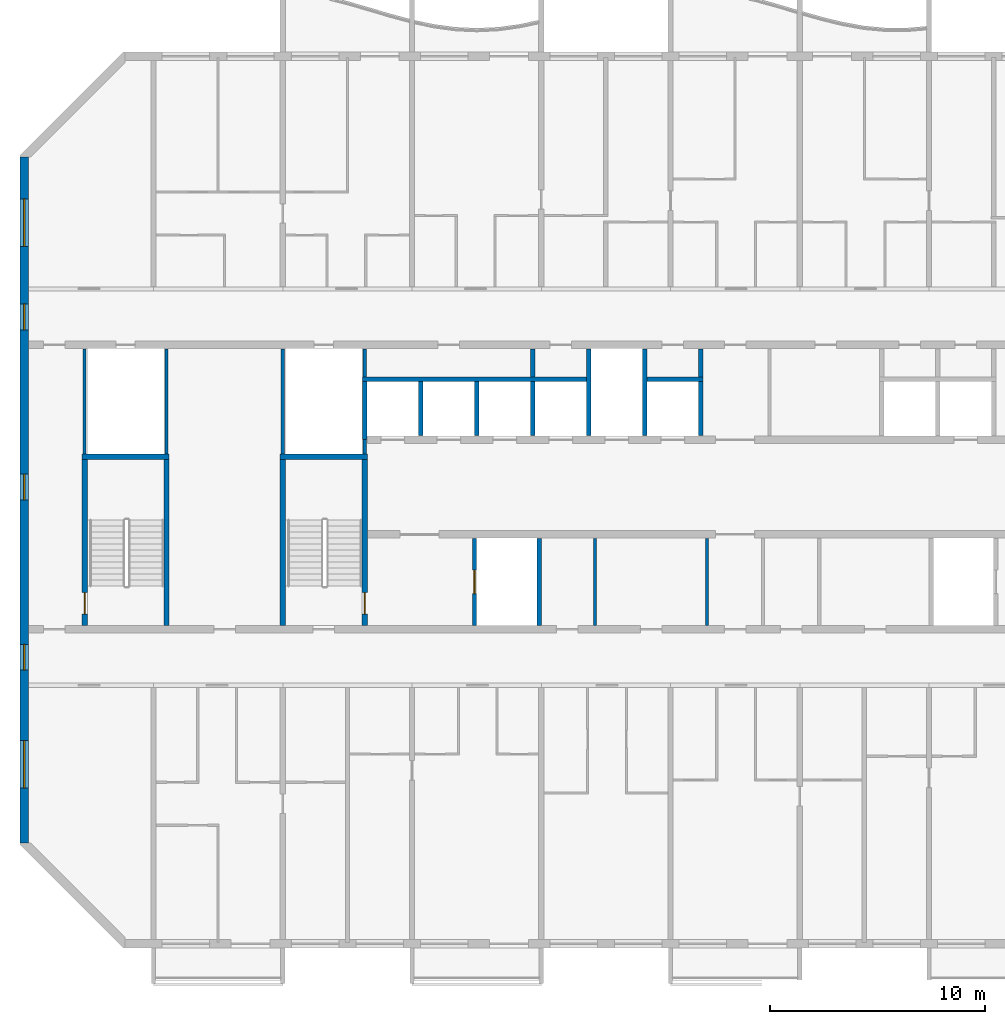
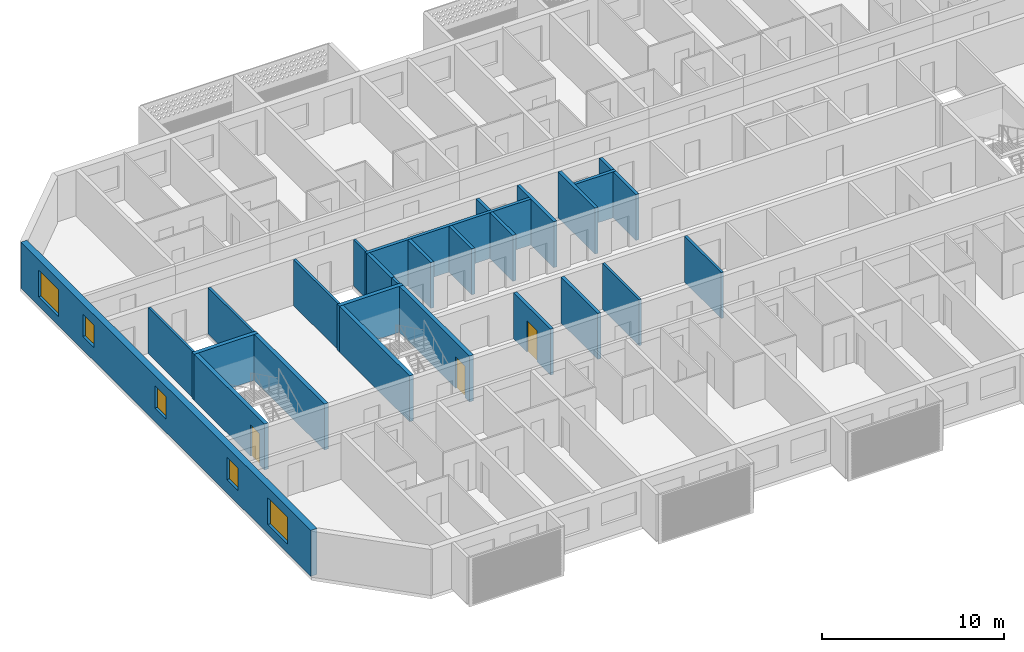
# One storey, part 3 of 27: 27 walls, 5 windows, 3 doors, 8 openings.
"""IFC4 building model written with IfcOpenShell, lengths in metres."""

from ifc_helpers import new_model, si_unit, direction, frame, frame_2d, origin, place, context, subcontext, project, spatial, rectangle, extrude, material, layer, layer_set, type_object, element, fill, save


model = new_model("IFC4")

# Units and contexts
model_context = context("Model", 3, precision=1e-05, world=origin(), true_north=direction((0.0, 1.0)))
body_context = subcontext(model_context, "Body", "Model", "MODEL_VIEW")
ifc_project = project(units=[si_unit("LENGTHUNIT", "METRE"), si_unit("AREAUNIT", "SQUARE_METRE"), si_unit("VOLUMEUNIT", "CUBIC_METRE"), si_unit("PLANEANGLEUNIT", "RADIAN"), si_unit("MASSUNIT", "GRAM", prefix="KILO")], contexts=[model_context])

# Site, building, storey
site_placement = place(None, origin())
site = spatial("IfcSite", under=ifc_project, at=site_placement, CompositionType="ELEMENT")
building_placement = place(site_placement, origin())
building = spatial("IfcBuilding", under=site, at=building_placement, Name="Poui Terraces", CompositionType="ELEMENT")
storey_placement = place(building_placement, frame((0.0, 0.0, 251.10009765625)))
storey = spatial("IfcBuildingStorey", under=building, at=storey_placement, Name="L70", CompositionType="ELEMENT", Elevation=251.10009765625)

# Wall
ifc_material_1 = material(Name="Fire-rated plasterboard wall")
ifc_layer_1 = layer(ifc_material_1, 0.14990234375)
ifc_layer_set_1 = layer_set([ifc_layer_1], Name="Fire-rated plasterboard wall")
wall_type_1 = type_object("IfcWallType", Name="CORRIDOR WALL 150", PredefinedType="PARTITIONING", material=ifc_layer_set_1)
wall_1_placement = place(storey_placement, frame((49.699951171875, 14.784912109375, 0.0), z_axis=(0.0, 0.0, 1.0), x_axis=(0.0, 1.0, 0.0)))
element("IfcWall", 1, at=wall_1_placement, inside=storey, type_object=wall_type_1, Name="CORRIDOR WALL 150", PredefinedType="PARTITIONING", context=body_context, shape_type="SweptSolid", body=[
    extrude(rectangle(XDim=4.030029296875, YDim=0.14990234375, at=frame_2d((2.01513671875, 0.0))), origin(), (0.0, 0.0, 1.0), 3.079833984375),
])

# Wall, openings, windows
ifc_material_2 = material(Name="Concrete 50 MPa", Category="concrete")
ifc_layer_2 = layer(ifc_material_2, 0.39990234375)
ifc_layer_set_2 = layer_set([ifc_layer_2], Name="Concrete 50 MPa")
wall_type_2 = type_object("IfcWallType", Name="END WALL 400 50MPa", PredefinedType="SHEAR", material=ifc_layer_set_2)
wall_2_placement = place(storey_placement, frame((18.0, 4.682861328125, 0.0), z_axis=(0.0, 0.0, 1.0), x_axis=(0.0, 1.0, 0.0)))
wall_2 = element("IfcWall", 2, at=wall_2_placement, inside=storey, type_object=wall_type_2, Name="END WALL WEST", PredefinedType="SHEAR", context=body_context, shape_type="SweptSolid", body=[
    extrude(rectangle(XDim=31.834228515625, YDim=0.39990234375, at=frame_2d((15.9169921875, 0.0))), origin(), (0.0, 0.0, 1.0), 3.079833984375),
])
opening_1_placement = place(wall_2_placement, frame((23.817138671875, 0.0, 0.89990234375)))
opening_1 = element("IfcOpeningElement", 3, at=opening_1_placement, cuts=wall_2, Name="Opening W2", PredefinedType="OPENING", context=body_context, shape_type="SweptSolid", body=[
    extrude(rectangle(XDim=1.199951171875, YDim=1.5, at=frame_2d((0.60009765625, 0.75))), frame((0.0, 0.2099609375, 0.0), z_axis=(0.0, -1.0, 0.0), x_axis=(1.0, 0.0, 0.0)), (0.0, 0.0, 1.0), 0.419921875),
])
opening_2_placement = place(wall_2_placement, frame((8.01708984375, 0.0, 0.89990234375)))
opening_2 = element("IfcOpeningElement", 4, at=opening_2_placement, cuts=wall_2, Name="Opening W2", PredefinedType="OPENING", context=body_context, shape_type="SweptSolid", body=[
    extrude(rectangle(XDim=1.199951171875, YDim=1.5, at=frame_2d((0.60009765625, 0.75))), frame((0.0, 0.2099609375, 0.0), z_axis=(0.0, -1.0, 0.0), x_axis=(1.0, 0.0, 0.0)), (0.0, 0.0, 1.0), 0.419921875),
])
opening_3_placement = place(wall_2_placement, frame((27.693603515625, 0.0, 0.60009765625)))
opening_3 = element("IfcOpeningElement", 5, at=opening_3_placement, cuts=wall_2, Name="Opening W3", PredefinedType="OPENING", context=body_context, shape_type="SweptSolid", body=[
    extrude(rectangle(XDim=2.199951171875, YDim=1.800048828125, at=frame_2d((1.10009765625, 0.89990234375))), frame((0.0, 0.2099609375, 0.0), z_axis=(0.0, -1.0, 0.0), x_axis=(1.0, 0.0, 0.0)), (0.0, 0.0, 1.0), 0.419921875),
])
opening_4_placement = place(wall_2_placement, frame((2.541015625, 0.0, 0.60009765625)))
opening_4 = element("IfcOpeningElement", 6, at=opening_4_placement, cuts=wall_2, Name="Opening W3", PredefinedType="OPENING", context=body_context, shape_type="SweptSolid", body=[
    extrude(rectangle(XDim=2.199951171875, YDim=1.800048828125, at=frame_2d((1.10009765625, 0.89990234375))), frame((0.0, 0.2099609375, 0.0), z_axis=(0.0, -1.0, 0.0), x_axis=(1.0, 0.0, 0.0)), (0.0, 0.0, 1.0), 0.419921875),
])
opening_5_placement = place(wall_2_placement, frame((15.917236328125, 0.0, 0.89990234375)))
opening_5 = element("IfcOpeningElement", 7, at=opening_5_placement, cuts=wall_2, Name="Opening W2", PredefinedType="OPENING", context=body_context, shape_type="SweptSolid", body=[
    extrude(rectangle(XDim=1.199951171875, YDim=1.5, at=frame_2d((0.60009765625, 0.75))), frame((0.0, 0.2099609375, 0.0), z_axis=(0.0, -1.0, 0.0), x_axis=(1.0, 0.0, 0.0)), (0.0, 0.0, 1.0), 0.419921875),
])
ifc_material_3 = material(Name="Clear glass in aluminium frame", Category="aluminium")
window_type_1 = type_object("IfcWindowType", Name="WINDOW 1200X1500", PartitioningType="SINGLE_PANEL", PredefinedType="WINDOW", material=ifc_material_3)
window_1_placement = place(opening_1_placement, origin())
window_1 = element("IfcWindow", 8, at=window_1_placement, inside=storey, type_object=window_type_1, Name="W2 WINDOW", OverallHeight=1.5, OverallWidth=1.199951171875, PartitioningType="SINGLE_PANEL", PredefinedType="WINDOW", context=body_context, shape_type="SweptSolid", body=[
    extrude(rectangle(XDim=1.199951171875, YDim=1.5, at=frame_2d((0.60009765625, 0.75))), frame((0.0, 0.030029296875, 0.0), z_axis=(0.0, -1.0, 0.0), x_axis=(1.0, 0.0, 0.0)), (0.0, 0.0, 1.0), 0.06005859375),
])
fill(opening_1, window_1)
window_2_placement = place(opening_2_placement, origin())
window_2 = element("IfcWindow", 9, at=window_2_placement, inside=storey, type_object=window_type_1, Name="W2 WINDOW", OverallHeight=1.5, OverallWidth=1.199951171875, PartitioningType="SINGLE_PANEL", PredefinedType="WINDOW", context=body_context, shape_type="SweptSolid", body=[
    extrude(rectangle(XDim=1.199951171875, YDim=1.5, at=frame_2d((0.60009765625, 0.75))), frame((0.0, 0.030029296875, 0.0), z_axis=(0.0, -1.0, 0.0), x_axis=(1.0, 0.0, 0.0)), (0.0, 0.0, 1.0), 0.06005859375),
])
fill(opening_2, window_2)
window_3_placement = place(opening_5_placement, origin())
window_3 = element("IfcWindow", 10, at=window_3_placement, inside=storey, type_object=window_type_1, Name="W2 WINDOW", OverallHeight=1.5, OverallWidth=1.199951171875, PartitioningType="SINGLE_PANEL", PredefinedType="WINDOW", context=body_context, shape_type="SweptSolid", body=[
    extrude(rectangle(XDim=1.199951171875, YDim=1.5, at=frame_2d((0.60009765625, 0.75))), frame((0.0, 0.030029296875, 0.0), z_axis=(0.0, -1.0, 0.0), x_axis=(1.0, 0.0, 0.0)), (0.0, 0.0, 1.0), 0.06005859375),
])
fill(opening_5, window_3)
window_type_2 = type_object("IfcWindowType", Name="WINDOW 2200X1800", PartitioningType="DOUBLE_PANEL_HORIZONTAL", PredefinedType="WINDOW", material=ifc_material_3)
window_4_placement = place(opening_3_placement, origin())
window_4 = element("IfcWindow", 11, at=window_4_placement, inside=storey, type_object=window_type_2, Name="W3 WINDOW", OverallHeight=1.800048828125, OverallWidth=2.199951171875, PartitioningType="DOUBLE_PANEL_HORIZONTAL", PredefinedType="WINDOW", context=body_context, shape_type="SweptSolid", body=[
    extrude(rectangle(XDim=2.199951171875, YDim=1.800048828125, at=frame_2d((1.10009765625, 0.89990234375))), frame((0.0, 0.030029296875, 0.0), z_axis=(0.0, -1.0, 0.0), x_axis=(1.0, 0.0, 0.0)), (0.0, 0.0, 1.0), 0.06005859375),
])
fill(opening_3, window_4)
window_5_placement = place(opening_4_placement, origin())
window_5 = element("IfcWindow", 12, at=window_5_placement, inside=storey, type_object=window_type_2, Name="W3 WINDOW", OverallHeight=1.800048828125, OverallWidth=2.199951171875, PartitioningType="DOUBLE_PANEL_HORIZONTAL", PredefinedType="WINDOW", context=body_context, shape_type="SweptSolid", body=[
    extrude(rectangle(XDim=2.199951171875, YDim=1.800048828125, at=frame_2d((1.10009765625, 0.89990234375))), frame((0.0, 0.030029296875, 0.0), z_axis=(0.0, -1.0, 0.0), x_axis=(1.0, 0.0, 0.0)), (0.0, 0.0, 1.0), 0.06005859375),
])
fill(opening_4, window_5)

# Walls
ifc_material_4 = material(Name="Plasterboard partition")
ifc_layer_3 = layer(ifc_material_4, 0.14990234375)
ifc_layer_set_3 = layer_set([ifc_layer_3], Name="Plasterboard partition")
wall_type_3 = type_object("IfcWallType", Name="PARTITION WALL 150", PredefinedType="PARTITIONING", material=ifc_layer_set_3)
wall_3_placement = place(storey_placement, frame((44.5, 14.784912109375, 0.0), z_axis=(0.0, 0.0, 1.0), x_axis=(0.0, 1.0, 0.0)))
element("IfcWall", 13, at=wall_3_placement, inside=storey, type_object=wall_type_3, Name="PARTITION WALL 150", PredefinedType="PARTITIONING", context=body_context, shape_type="SweptSolid", body=[
    extrude(rectangle(XDim=4.030029296875, YDim=0.14990234375, at=frame_2d((2.01513671875, 0.0))), origin(), (0.0, 0.0, 1.0), 3.079833984375),
])
ifc_material_5 = material(Name="Fire-rated masonry wall", Category="masonry")
ifc_layer_4 = layer(ifc_material_5, 0.199951171875)
ifc_layer_set_4 = layer_set([ifc_layer_4], Name="Fire-rated masonry wall")
wall_type_4 = type_object("IfcWallType", Name="PLANT ROOM WALL 200", PredefinedType="PARTITIONING", material=ifc_layer_set_4)
for number, where, z_axis, x_axis, name in (
    (14, (41.60009765625, 26.300048828125, 0.0), (0.0, 0.0, 1.0), (0.0, 1.0, 0.0), "PLANT ROOM WALL 200"),
    (15, (49.39990234375, 26.300048828125, 0.0), (0.0, 0.0, 1.0), (0.0, 1.0, 0.0), "PLANT ROOM WALL 200"),
):
    element("IfcWall", number, at=place(storey_placement, frame(where, z_axis=z_axis, x_axis=x_axis)), inside=storey, type_object=wall_type_4, Name=name, PredefinedType="PARTITIONING", context=body_context, shape_type="SweptSolid", body=[
        extrude(rectangle(XDim=1.31494140625, YDim=0.199951171875, at=frame_2d((0.657470703125, 0.0))), origin(), (0.0, 0.0, 1.0), 3.079833984375),
    ])
ifc_material_6 = material(Name="Fire-rated plasterboard riser wall")
ifc_layer_5 = layer(ifc_material_6, 0.14990234375)
ifc_layer_set_5 = layer_set([ifc_layer_5], Name="Fire-rated plasterboard riser wall")
wall_type_5 = type_object("IfcWallType", Name="RISER WALL 150", PredefinedType="PARTITIONING", material=ifc_layer_set_5)
for number, where, z_axis, x_axis, name in (
    (16, (20.800048828125, 22.735107421875, 0.0), (0.0, 0.0, 1.0), (0.0, 1.0, 0.0), "RISER WALL 150"),
    (17, (24.60009765625, 22.735107421875, 0.0), (0.0, 0.0, 1.0), (0.0, 1.0, 0.0), "RISER WALL 150"),
    (18, (30.0, 22.735107421875, 0.0), (0.0, 0.0, 1.0), (0.0, 1.0, 0.0), "RISER WALL 150"),
):
    element("IfcWall", number, at=place(storey_placement, frame(where, z_axis=z_axis, x_axis=x_axis)), inside=storey, type_object=wall_type_5, Name=name, PredefinedType="PARTITIONING", context=body_context, shape_type="SweptSolid", body=[
        extrude(rectangle(XDim=4.8798828125, YDim=0.14990234375, at=frame_2d((2.43994140625, 0.0))), origin(), (0.0, 0.0, 1.0), 3.079833984375),
    ])
wall_4_placement = place(storey_placement, frame((33.800048828125, 22.735107421875, 0.0), z_axis=(0.0, 0.0, 1.0), x_axis=(0.0, 1.0, 0.0)))
element("IfcWall", 19, at=wall_4_placement, inside=storey, type_object=wall_type_5, Name="RISER WALL 150", PredefinedType="PARTITIONING", context=body_context, shape_type="SweptSolid", body=[
    extrude(rectangle(XDim=0.664794921875, YDim=0.14990234375, at=frame_2d((0.33251953125, 0.0))), origin(), (0.0, 0.0, 1.0), 3.079833984375),
])
wall_5_placement = place(storey_placement, frame((33.800048828125, 26.300048828125, 0.0), z_axis=(0.0, 0.0, 1.0), x_axis=(0.0, 1.0, 0.0)))
element("IfcWall", 20, at=wall_5_placement, inside=storey, type_object=wall_type_5, Name="RISER WALL 150", PredefinedType="PARTITIONING", context=body_context, shape_type="SweptSolid", body=[
    extrude(rectangle(XDim=1.31494140625, YDim=0.14990234375, at=frame_2d((0.657470703125, 0.0))), origin(), (0.0, 0.0, 1.0), 3.079833984375),
])
ifc_material_7 = material(Name="Fire-rated masonry shaft wall", Category="masonry")
ifc_layer_6 = layer(ifc_material_7, 0.199951171875)
ifc_layer_set_6 = layer_set([ifc_layer_6], Name="Fire-rated masonry shaft wall")
wall_type_6 = type_object("IfcWallType", Name="SHAFT WALL 200", PredefinedType="PARTITIONING", material=ifc_layer_set_6)
wall_6_placement = place(storey_placement, frame((33.699951171875, 26.199951171875, 0.0), z_axis=(0.0, 0.0, 1.0), x_axis=(1.0, 0.0, 0.0)))
element("IfcWall", 21, at=wall_6_placement, inside=storey, type_object=wall_type_6, Name="SHAFT WALL 200", PredefinedType="PARTITIONING", context=body_context, shape_type="SweptSolid", body=[
    extrude(rectangle(XDim=10.400146484375, YDim=0.199951171875, at=frame_2d((5.2001953125, 0.0))), origin(), (0.0, 0.0, 1.0), 3.079833984375),
])
wall_7_placement = place(storey_placement, frame((46.89990234375, 26.199951171875, 0.0), z_axis=(0.0, 0.0, 1.0), x_axis=(1.0, 0.0, 0.0)))
element("IfcWall", 22, at=wall_7_placement, inside=storey, type_object=wall_type_6, Name="SHAFT WALL 200", PredefinedType="PARTITIONING", context=body_context, shape_type="SweptSolid", body=[
    extrude(rectangle(XDim=2.60009765625, YDim=0.199951171875, at=frame_2d((1.300048828125, 0.0))), origin(), (0.0, 0.0, 1.0), 3.079833984375),
])
wall_8_placement = place(storey_placement, frame((33.800048828125, 23.39990234375, 0.0), z_axis=(0.0, 0.0, 1.0), x_axis=(0.0, 1.0, 0.0)))
element("IfcWall", 23, at=wall_8_placement, inside=storey, type_object=wall_type_6, Name="SHAFT WALL 200", PredefinedType="PARTITIONING", context=body_context, shape_type="SweptSolid", body=[
    extrude(rectangle(XDim=2.7001953125, YDim=0.199951171875, at=frame_2d((1.35009765625, 0.0))), origin(), (0.0, 0.0, 1.0), 3.079833984375),
])
wall_9_placement = place(storey_placement, frame((36.39990234375, 23.5849609375, 0.0), z_axis=(0.0, 0.0, 1.0), x_axis=(0.0, 1.0, 0.0)))
element("IfcWall", 24, at=wall_9_placement, inside=storey, type_object=wall_type_6, Name="SHAFT WALL 200", PredefinedType="PARTITIONING", context=body_context, shape_type="SweptSolid", body=[
    extrude(rectangle(XDim=2.51513671875, YDim=0.199951171875, at=frame_2d((1.257568359375, 0.0))), origin(), (0.0, 0.0, 1.0), 3.079833984375),
])

# Wall, opening, door
wall_10_placement = place(storey_placement, frame((38.89990234375, 14.784912109375, 0.0), z_axis=(0.0, 0.0, 1.0), x_axis=(0.0, 1.0, 0.0)))
wall_10 = element("IfcWall", 25, at=wall_10_placement, inside=storey, type_object=wall_type_6, Name="SHAFT WALL 200", PredefinedType="PARTITIONING", context=body_context, shape_type="SweptSolid", body=[
    extrude(rectangle(XDim=4.030029296875, YDim=0.199951171875, at=frame_2d((2.01513671875, 0.0))), origin(), (0.0, 0.0, 1.0), 3.079833984375),
])
opening_6_placement = place(wall_10_placement, frame((1.465087890625, 0.0, 0.0)))
opening_6 = element("IfcOpeningElement", 26, at=opening_6_placement, cuts=wall_10, Name="Opening LD", PredefinedType="OPENING", context=body_context, shape_type="SweptSolid", body=[
    extrude(rectangle(XDim=1.10009765625, YDim=2.10009765625, at=frame_2d((0.550048828125, 1.050048828125))), frame((0.0, 0.10986328125, 0.0), z_axis=(0.0, -1.0, 0.0), x_axis=(1.0, 0.0, 0.0)), (0.0, 0.0, 1.0), 0.219970703125),
])
ifc_material_8 = material(Name="Stainless steel sliding door", Category="steel")
door_type_1 = type_object("IfcDoorType", Name="LIFT LANDING DOOR 1100 X 2100", OperationType="DOUBLE_DOOR_SLIDING", PredefinedType="DOOR", material=ifc_material_8)
door_1_placement = place(opening_6_placement, origin())
door_1 = element("IfcDoor", 27, at=door_1_placement, inside=storey, type_object=door_type_1, Name="LANDING DOOR", OperationType="DOUBLE_DOOR_SLIDING", OverallHeight=2.10009765625, OverallWidth=1.10009765625, PredefinedType="DOOR", context=body_context, shape_type="SweptSolid", body=[
    extrude(rectangle(XDim=1.10009765625, YDim=2.10009765625, at=frame_2d((0.550048828125, 1.050048828125))), frame((0.0, 0.02490234375, 0.0), z_axis=(0.0, -1.0, 0.0), x_axis=(1.0, 0.0, 0.0)), (0.0, 0.0, 1.0), 0.050048828125),
])
fill(opening_6, door_1)

# Walls
for number, where, z_axis, x_axis, name in (
    (28, (39.0, 23.5849609375, 0.0), (0.0, 0.0, 1.0), (0.0, 1.0, 0.0), "SHAFT WALL 200"),
    (29, (41.60009765625, 23.5849609375, 0.0), (0.0, 0.0, 1.0), (0.0, 1.0, 0.0), "SHAFT WALL 200"),
):
    element("IfcWall", number, at=place(storey_placement, frame(where, z_axis=z_axis, x_axis=x_axis)), inside=storey, type_object=wall_type_6, Name=name, PredefinedType="PARTITIONING", context=body_context, shape_type="SweptSolid", body=[
        extrude(rectangle(XDim=2.51513671875, YDim=0.199951171875, at=frame_2d((1.257568359375, 0.0))), origin(), (0.0, 0.0, 1.0), 3.079833984375),
    ])
for number, where, z_axis, x_axis, name in (
    (30, (41.89990234375, 14.784912109375, 0.0), (0.0, 0.0, 1.0), (0.0, 1.0, 0.0), "SHAFT WALL 200"),
    (31, (44.199951171875, 23.5849609375, 0.0), (0.0, 0.0, 1.0), (0.0, 1.0, 0.0), "SHAFT WALL 200"),
    (32, (46.800048828125, 23.5849609375, 0.0), (0.0, 0.0, 1.0), (0.0, 1.0, 0.0), "SHAFT WALL 200"),
):
    element("IfcWall", number, at=place(storey_placement, frame(where, z_axis=z_axis, x_axis=x_axis)), inside=storey, type_object=wall_type_6, Name=name, PredefinedType="PARTITIONING", context=body_context, shape_type="SweptSolid", body=[
        extrude(rectangle(XDim=4.030029296875, YDim=0.199951171875, at=frame_2d((2.01513671875, 0.0))), origin(), (0.0, 0.0, 1.0), 3.079833984375),
    ])
wall_11_placement = place(storey_placement, frame((49.39990234375, 23.5849609375, 0.0), z_axis=(0.0, 0.0, 1.0), x_axis=(0.0, 1.0, 0.0)))
element("IfcWall", 33, at=wall_11_placement, inside=storey, type_object=wall_type_6, Name="SHAFT WALL 200", PredefinedType="PARTITIONING", context=body_context, shape_type="SweptSolid", body=[
    extrude(rectangle(XDim=2.51513671875, YDim=0.199951171875, at=frame_2d((1.257568359375, 0.0))), origin(), (0.0, 0.0, 1.0), 3.079833984375),
])
ifc_layer_7 = layer(ifc_material_2, 0.25)
ifc_layer_set_7 = layer_set([ifc_layer_7], Name="Concrete 50 MPa")
wall_type_7 = type_object("IfcWallType", Name="STAIR CORE WALL 250 50 MPA", PredefinedType="SOLIDWALL", material=ifc_layer_set_7)
wall_12_placement = place(storey_placement, frame((30.0, 14.77490234375, 0.0), z_axis=(0.0, 0.0, 1.0), x_axis=(0.0, 1.0, 0.0)))
element("IfcWall", 34, at=wall_12_placement, inside=storey, type_object=wall_type_7, Name="STAIR CORE WALL", PredefinedType="SOLIDWALL", context=body_context, shape_type="SweptSolid", body=[
    extrude(rectangle(XDim=7.7001953125, YDim=0.25, at=frame_2d((3.85009765625, 0.0))), origin(), (0.0, 0.0, 1.0), 3.079833984375),
])

# Wall, opening, door
wall_13_placement = place(storey_placement, frame((33.800048828125, 14.77490234375, 0.0), z_axis=(0.0, 0.0, 1.0), x_axis=(0.0, 1.0, 0.0)))
wall_13 = element("IfcWall", 35, at=wall_13_placement, inside=storey, type_object=wall_type_7, Name="STAIR CORE WALL", PredefinedType="SOLIDWALL", context=body_context, shape_type="SweptSolid", body=[
    extrude(rectangle(XDim=7.7001953125, YDim=0.25, at=frame_2d((3.85009765625, 0.0))), origin(), (0.0, 0.0, 1.0), 3.079833984375),
])
opening_7_placement = place(wall_13_placement, frame((0.52490234375, 0.0, 0.0)))
opening_7 = element("IfcOpeningElement", 36, at=opening_7_placement, cuts=wall_13, Name="Opening FD60S", PredefinedType="OPENING", context=body_context, shape_type="SweptSolid", body=[
    extrude(rectangle(XDim=1.0, YDim=2.10009765625, at=frame_2d((0.5, 1.050048828125))), frame((0.0, 0.135009765625, 0.0), z_axis=(0.0, -1.0, 0.0), x_axis=(1.0, 0.0, 0.0)), (0.0, 0.0, 1.0), 0.27001953125),
])
ifc_material_9 = material(Name="Steel fire door", Category="steel")
door_type_2 = type_object("IfcDoorType", Name="STAIR DOOR 1000 X 2100", OperationType="NOTDEFINED", PredefinedType="DOOR", material=ifc_material_9)
door_2_placement = place(opening_7_placement, origin())
door_2 = element("IfcDoor", 37, at=door_2_placement, inside=storey, type_object=door_type_2, Name="STAIR DOOR 096", OperationType="SINGLE_SWING_LEFT", OverallHeight=2.10009765625, OverallWidth=1.0, PredefinedType="DOOR", context=body_context, shape_type="SweptSolid", body=[
    extrude(rectangle(XDim=1.0, YDim=2.10009765625, at=frame_2d((0.5, 1.050048828125))), frame((0.0, 0.02490234375, 0.0), z_axis=(0.0, -1.0, 0.0), x_axis=(1.0, 0.0, 0.0)), (0.0, 0.0, 1.0), 0.050048828125),
])
fill(opening_7, door_2)

# Wall
wall_14_placement = place(storey_placement, frame((29.875, 22.60009765625, 0.0), z_axis=(0.0, 0.0, 1.0), x_axis=(1.0, 0.0, 0.0)))
element("IfcWall", 38, at=wall_14_placement, inside=storey, type_object=wall_type_7, Name="STAIR CORE WALL", PredefinedType="SOLIDWALL", context=body_context, shape_type="SweptSolid", body=[
    extrude(rectangle(XDim=4.050048828125, YDim=0.25, at=frame_2d((2.02490234375, 0.0))), origin(), (0.0, 0.0, 1.0), 3.079833984375),
])

# Wall, opening, door
wall_15_placement = place(storey_placement, frame((20.800048828125, 14.77490234375, 0.0), z_axis=(0.0, 0.0, 1.0), x_axis=(0.0, 1.0, 0.0)))
wall_15 = element("IfcWall", 39, at=wall_15_placement, inside=storey, type_object=wall_type_7, Name="STAIR CORE WALL", PredefinedType="SOLIDWALL", context=body_context, shape_type="SweptSolid", body=[
    extrude(rectangle(XDim=7.7001953125, YDim=0.25, at=frame_2d((3.85009765625, 0.0))), origin(), (0.0, 0.0, 1.0), 3.079833984375),
])
opening_8_placement = place(wall_15_placement, frame((0.52490234375, 0.0, 0.0)))
opening_8 = element("IfcOpeningElement", 40, at=opening_8_placement, cuts=wall_15, Name="Opening FD60S", PredefinedType="OPENING", context=body_context, shape_type="SweptSolid", body=[
    extrude(rectangle(XDim=1.0, YDim=2.10009765625, at=frame_2d((0.5, 1.050048828125))), frame((0.0, 0.135009765625, 0.0), z_axis=(0.0, -1.0, 0.0), x_axis=(1.0, 0.0, 0.0)), (0.0, 0.0, 1.0), 0.27001953125),
])
door_3_placement = place(opening_8_placement, frame((1.0, 0.0, 0.0), z_axis=(0.0, 0.0, 1.0), x_axis=(-1.0, 0.0, 0.0)))
door_3 = element("IfcDoor", 41, at=door_3_placement, inside=storey, type_object=door_type_2, Name="STAIR DOOR 110", OperationType="SINGLE_SWING_RIGHT", OverallHeight=2.10009765625, OverallWidth=1.0, PredefinedType="DOOR", context=body_context, shape_type="SweptSolid", body=[
    extrude(rectangle(XDim=1.0, YDim=2.10009765625, at=frame_2d((0.5, 1.050048828125))), frame((0.0, 0.02490234375, 0.0), z_axis=(0.0, -1.0, 0.0), x_axis=(1.0, 0.0, 0.0)), (0.0, 0.0, 1.0), 0.050048828125),
])
fill(opening_8, door_3)

# Walls
wall_16_placement = place(storey_placement, frame((24.60009765625, 14.77490234375, 0.0), z_axis=(0.0, 0.0, 1.0), x_axis=(0.0, 1.0, 0.0)))
element("IfcWall", 42, at=wall_16_placement, inside=storey, type_object=wall_type_7, Name="STAIR CORE WALL", PredefinedType="SOLIDWALL", context=body_context, shape_type="SweptSolid", body=[
    extrude(rectangle(XDim=7.7001953125, YDim=0.25, at=frame_2d((3.85009765625, 0.0))), origin(), (0.0, 0.0, 1.0), 3.079833984375),
])
wall_17_placement = place(storey_placement, frame((20.675048828125, 22.60009765625, 0.0), z_axis=(0.0, 0.0, 1.0), x_axis=(1.0, 0.0, 0.0)))
element("IfcWall", 43, at=wall_17_placement, inside=storey, type_object=wall_type_7, Name="STAIR CORE WALL", PredefinedType="SOLIDWALL", context=body_context, shape_type="SweptSolid", body=[
    extrude(rectangle(XDim=4.050048828125, YDim=0.25, at=frame_2d((2.02490234375, 0.0))), origin(), (0.0, 0.0, 1.0), 3.079833984375),
])

save(model, "model.ifc")
